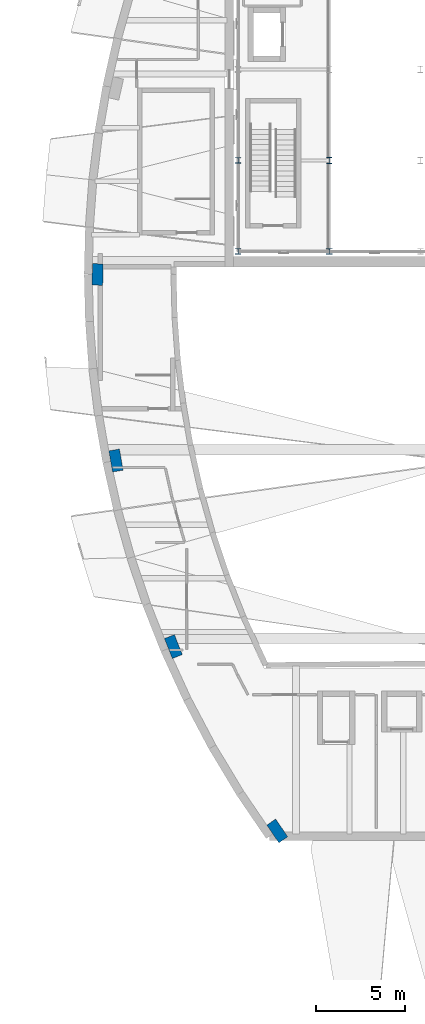
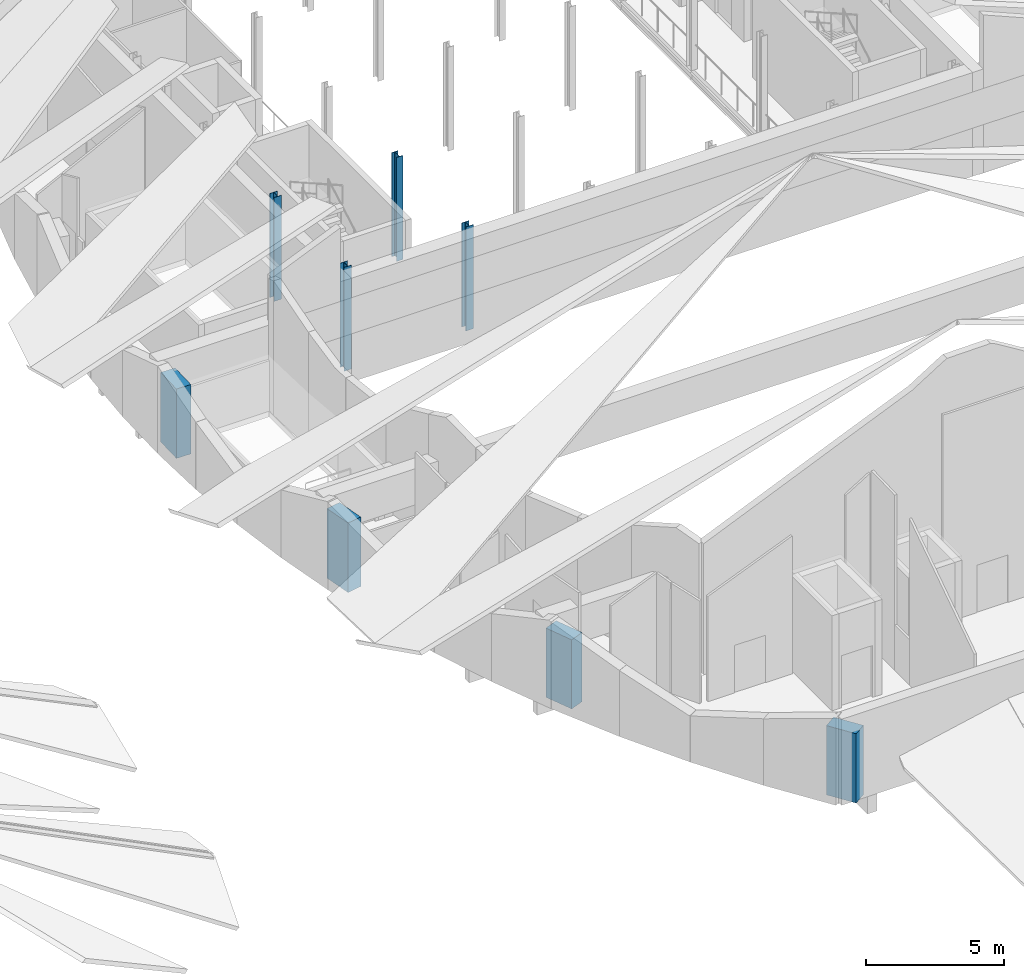
# One storey, part 1 of 17: 8 columns.
"""IFC4 building model written with IfcOpenShell, lengths in metres."""

from ifc_helpers import new_model, si_unit, direction, frame, origin, origin_2d, place, context, subcontext, project, spatial, rectangle, i_section, extrude, material, material_profile, profile_set, type_object, element, save


model = new_model("IFC4")

# Units and contexts
model_context = context("Model", 3, precision=1e-05, world=origin(), true_north=direction((0.0, 1.0)))
body_context = subcontext(model_context, "Body", "Model", "MODEL_VIEW")
ifc_project = project(units=[si_unit("LENGTHUNIT", "METRE"), si_unit("AREAUNIT", "SQUARE_METRE"), si_unit("VOLUMEUNIT", "CUBIC_METRE"), si_unit("PLANEANGLEUNIT", "RADIAN"), si_unit("MASSUNIT", "GRAM", prefix="KILO")], contexts=[model_context])

# Site, building, storey
site_placement = place(None, origin())
site = spatial("IfcSite", under=ifc_project, at=site_placement, CompositionType="ELEMENT")
building_placement = place(site_placement, origin())
building = spatial("IfcBuilding", under=site, at=building_placement, Name="Tide Square Theatres", CompositionType="ELEMENT")
storey_placement = place(building_placement, frame((0.0, 0.0, 14.800048828125)))
storey = spatial("IfcBuildingStorey", under=building, at=storey_placement, Name="L03", CompositionType="ELEMENT", Elevation=14.800048828125)

# Columns
ifc_material_1 = material(Name="Concrete C40", Category="concrete")
ifc_material_profile_1 = material_profile(ifc_material_1, rectangle(XDim=1.199951171875, YDim=0.60009765625, at=origin_2d()))
ifc_profile_set_1 = profile_set([ifc_material_profile_1], Name="Concrete C40")
column_type_1 = type_object("IfcColumnType", Name="RC pier 1200 x 600", PredefinedType="PILASTER", material=ifc_profile_set_1)
column_1_placement = place(storey_placement, frame((73.4599609375, 23.878173828125, 0.0), z_axis=(0.0, 0.0, 1.0), x_axis=(0.562978035902, -0.82647185741, 0.0)))
element("IfcColumn", 1, at=column_1_placement, inside=storey, type_object=column_type_1, Name="Rib foot pier", PredefinedType="PILASTER", context=body_context, shape_type="SweptSolid", body=[
    extrude(rectangle(XDim=1.199951171875, YDim=0.60009765625, at=origin_2d()), origin(), (0.0, 0.0, 1.0), 3.066162109375),
])
column_2_placement = place(storey_placement, frame((67.651123046875, 34.185791015625, 0.0), z_axis=(0.0, 0.0, 1.0), x_axis=(0.366955870742, -0.930238350601, 0.0)))
element("IfcColumn", 2, at=column_2_placement, inside=storey, type_object=column_type_1, Name="Rib foot pier", PredefinedType="PILASTER", context=body_context, shape_type="SweptSolid", body=[
    extrude(rectangle(XDim=1.199951171875, YDim=0.60009765625, at=origin_2d()), origin(), (0.0, 0.0, 1.0), 3.059814453125),
])
column_3_placement = place(storey_placement, frame((64.443115234375, 44.58642578125, 0.0), z_axis=(0.0, 0.0, 1.0), x_axis=(0.171172540003, -0.985241067734, 0.0)))
element("IfcColumn", 3, at=column_3_placement, inside=storey, type_object=column_type_1, Name="Rib foot pier", PredefinedType="PILASTER", context=body_context, shape_type="SweptSolid", body=[
    extrude(rectangle(XDim=1.199951171875, YDim=0.60009765625, at=origin_2d()), origin(), (0.0, 0.0, 1.0), 3.07763671875),
])
column_4_placement = place(storey_placement, frame((63.414794921875, 54.987060546875, 0.0), z_axis=(0.0, 0.0, 1.0), x_axis=(-0.024571762574, -0.999698068661, 0.0)))
element("IfcColumn", 4, at=column_4_placement, inside=storey, type_object=column_type_1, Name="Rib foot pier", PredefinedType="PILASTER", context=body_context, shape_type="SweptSolid", body=[
    extrude(rectangle(XDim=1.199951171875, YDim=0.60009765625, at=origin_2d()), origin(), (0.0, 0.0, 1.0), 3.071533203125),
])
ifc_material_2 = material(Name="Steel ASTM A572 Grade 50", Category="steel")
ifc_material_profile_2 = material_profile(ifc_material_2, i_section(OverallWidth=0.31201171875, OverallDepth=0.31201171875, WebThickness=0.017333984375, FlangeThickness=0.017333984375, FilletRadius=0.01611328125, at=origin_2d()))
ifc_profile_set_2 = profile_set([ifc_material_profile_2], Name="Steel ASTM A572 Grade 50")
column_type_2 = type_object("IfcColumnType", Name="Steel column HP 310 x 125.0", PredefinedType="COLUMN", material=ifc_profile_set_2)
for number, where, z_axis, x_axis, name in (
    (5, (71.27587890625, 56.27587890625, 0.0), (0.0, 0.0, 1.0), (1.0, 0.0, 0.0), "Fly tower column"),
    (6, (71.27587890625, 61.365478515625, 0.0), (0.0, 0.0, 1.0), (1.0, 0.0, 0.0), "Fly tower column"),
    (7, (76.365478515625, 56.27587890625, 0.0), (0.0, 0.0, 1.0), (1.0, 0.0, 0.0), "Fly tower column"),
):
    element("IfcColumn", number, at=place(storey_placement, frame(where, z_axis=z_axis, x_axis=x_axis)), inside=storey, type_object=column_type_2, Name=name, PredefinedType="COLUMN", context=body_context, shape_type="SweptSolid", body=[
        extrude(i_section(OverallWidth=0.31201171875, OverallDepth=0.31201171875, WebThickness=0.017333984375, FlangeThickness=0.017333984375, FilletRadius=0.01611328125, at=origin_2d()), origin(), (0.0, 0.0, 1.0), 4.599853515625),
    ])
ifc_material_3 = material(Name="Steel ASTM A572 Grade 50", Category="steel")
ifc_material_profile_3 = material_profile(ifc_material_3, i_section(OverallWidth=0.257080078125, OverallDepth=0.363037109375, WebThickness=0.012939453125, FlangeThickness=0.021728515625, FilletRadius=0.01611328125, at=origin_2d()))
ifc_profile_set_3 = profile_set([ifc_material_profile_3], Name="Steel ASTM A572 Grade 50")
column_type_3 = type_object("IfcColumnType", Name="Steel column W 360 x 122.0", PredefinedType="COLUMN", material=ifc_profile_set_3)
column_5_placement = place(storey_placement, frame((76.365478515625, 61.365478515625, 0.0), z_axis=(0.0, 0.0, 1.0), x_axis=(1.0, 0.0, 0.0)))
element("IfcColumn", 8, at=column_5_placement, inside=storey, type_object=column_type_3, Name="Fly tower column", PredefinedType="COLUMN", context=body_context, shape_type="SweptSolid", body=[
    extrude(i_section(OverallWidth=0.257080078125, OverallDepth=0.363037109375, WebThickness=0.012939453125, FlangeThickness=0.021728515625, FilletRadius=0.01611328125, at=origin_2d()), origin(), (0.0, 0.0, 1.0), 4.599853515625),
])

save(model, "model.ifc")
